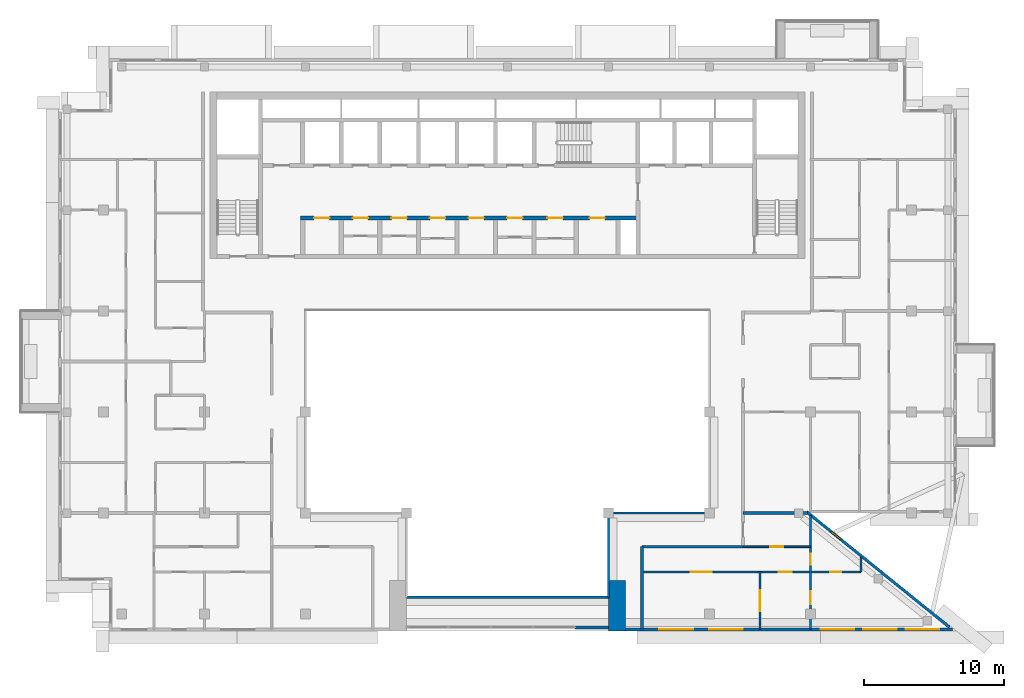
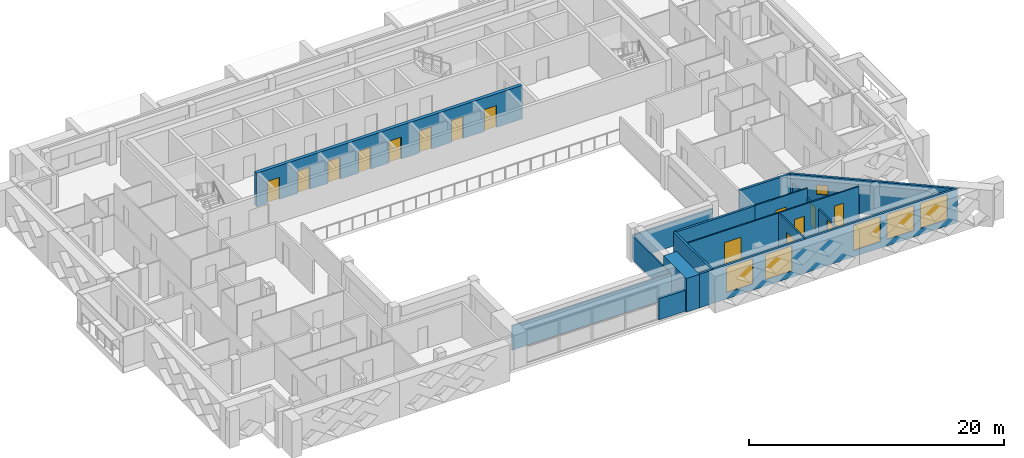
# One storey, part 8 of 18: 16 walls, 15 doors, 6 windows, 21 openings.
"""IFC4 building model written with IfcOpenShell, lengths in metres."""

from ifc_helpers import new_model, si_unit, direction, frame, frame_2d, origin, place, context, subcontext, project, spatial, rectangle, extrude, material, layer, layer_set, type_object, element, fill, save


model = new_model("IFC4")

# Units and contexts
model_context = context("Model", 3, precision=1e-05, world=origin(), true_north=direction((0.0, 1.0)))
body_context = subcontext(model_context, "Body", "Model", "MODEL_VIEW")
ifc_project = project(units=[si_unit("LENGTHUNIT", "METRE"), si_unit("AREAUNIT", "SQUARE_METRE"), si_unit("VOLUMEUNIT", "CUBIC_METRE"), si_unit("PLANEANGLEUNIT", "RADIAN"), si_unit("MASSUNIT", "GRAM", prefix="KILO")], contexts=[model_context])

# Site, building, storey
site_placement = place(None, origin())
site = spatial("IfcSite", under=ifc_project, at=site_placement, CompositionType="ELEMENT")
building_placement = place(site_placement, origin())
building = spatial("IfcBuilding", under=site, at=building_placement, Name="Saffron Iwan Residences", CompositionType="ELEMENT")
storey_placement = place(building_placement, frame((0.0, 0.0, 257.0)))
storey = spatial("IfcBuildingStorey", under=building, at=storey_placement, Name="L69", CompositionType="ELEMENT", Elevation=257.0)

# Walls
ifc_material_1 = material(Name="Fire-rated glazing", Category="glass")
ifc_layer_1 = layer(ifc_material_1, 0.14990234375)
ifc_layer_set_1 = layer_set([ifc_layer_1], Name="Fire-rated glazing")
wall_type_1 = type_object("IfcWallType", Name="Atrium glazed screen 150", PredefinedType="SOLIDWALL", material=ifc_layer_set_1)
wall_1_placement = place(storey_placement, frame((43.199951171875, 42.0, 0.0), z_axis=(0.0, 0.0, 1.0), x_axis=(1.0, 0.0, 0.0)))
element("IfcWall", 1, at=wall_1_placement, inside=storey, type_object=wall_type_1, Name="W-L69-SCREEN-h42-43.2", PredefinedType="SOLIDWALL", context=body_context, shape_type="SweptSolid", body=[
    extrude(rectangle(XDim=14.400146484375, YDim=0.14990234375, at=frame_2d((7.2001953125, 0.0))), origin(), (0.0, 0.0, 1.0), 2.320068359375),
])
wall_2_placement = place(storey_placement, frame((57.60009765625, 48.0, 0.0), z_axis=(0.0, 0.0, 1.0), x_axis=(1.0, 0.0, 0.0)))
element("IfcWall", 2, at=wall_2_placement, inside=storey, type_object=wall_type_1, Name="W-L69-SCREEN-h48-57.6", PredefinedType="SOLIDWALL", context=body_context, shape_type="SweptSolid", body=[
    extrude(rectangle(XDim=7.199951171875, YDim=0.14990234375, at=frame_2d((3.60009765625, 0.0))), origin(), (0.0, 0.0, 1.0), 2.320068359375),
])
wall_3_placement = place(storey_placement, frame((57.60009765625, 42.0, 0.0), z_axis=(0.0, 0.0, 1.0), x_axis=(0.0, 1.0, 0.0)))
element("IfcWall", 3, at=wall_3_placement, inside=storey, type_object=wall_type_1, Name="W-L69-SCREEN-v57.6-42", PredefinedType="SOLIDWALL", context=body_context, shape_type="SweptSolid", body=[
    extrude(rectangle(XDim=6.0, YDim=0.14990234375, at=frame_2d((3.0, 0.0))), origin(), (0.0, 0.0, 1.0), 2.320068359375),
])

# Wall, opening, window
ifc_material_2 = material(Name="Concrete C40/50", Category="concrete")
ifc_layer_2 = layer(ifc_material_2, 0.199951171875)
ifc_layer_set_2 = layer_set([ifc_layer_2], Name="Concrete C40/50")
wall_type_2 = type_object("IfcWallType", Name="EXTERNAL WALL 200", PredefinedType="SOLIDWALL", material=ifc_layer_set_2)
wall_4_placement = place(storey_placement, frame((81.906982421875, 39.86962890625, 0.0), z_axis=(0.0, 0.0, 1.0), x_axis=(-0.777936274417, 0.62834318087, 0.0)))
wall_4 = element("IfcWall", 4, at=wall_4_placement, inside=storey, type_object=wall_type_2, Name="External wall L69 F0.0", PredefinedType="SOLIDWALL", context=body_context, shape_type="SweptSolid", body=[
    extrude(rectangle(XDim=13.0986328125, YDim=0.199951171875, at=frame_2d((6.54931640625, 0.0))), origin(), (0.0, 0.0, 1.0), 3.219970703125),
])
opening_1_placement = place(wall_4_placement, frame((9.9384765625, 0.0, 1.5)))
opening_1 = element("IfcOpeningElement", 5, at=opening_1_placement, cuts=wall_4, Name="Opening W6", PredefinedType="OPENING", context=body_context, shape_type="SweptSolid", body=[
    extrude(rectangle(XDim=0.89990234375, YDim=0.89990234375, at=frame_2d((0.449951171875, 0.449951171875))), frame((0.0, 0.10986328125, 0.0), z_axis=(0.0, -1.0, 0.0), x_axis=(1.0, 0.0, 0.0)), (0.0, 0.0, 1.0), 0.219970703125),
])
ifc_material_3 = material(Name="Clear glass, laminated double glazed", Category="glass")
window_type_1 = type_object("IfcWindowType", Name="WINDOW 900 x 900 BATH", PartitioningType="SINGLE_PANEL", PredefinedType="WINDOW", material=ifc_material_3)
window_1_placement = place(opening_1_placement, origin())
window_1 = element("IfcWindow", 6, at=window_1_placement, inside=storey, type_object=window_type_1, Name="Window L69 F0.0", OverallHeight=0.89990234375, OverallWidth=0.89990234375, PartitioningType="SINGLE_PANEL", PredefinedType="WINDOW", context=body_context, shape_type="SweptSolid", body=[
    extrude(rectangle(XDim=0.89990234375, YDim=0.89990234375, at=frame_2d((0.449951171875, 0.449951171875))), frame((0.0, 0.030029296875, 0.0), z_axis=(0.0, -1.0, 0.0), x_axis=(1.0, 0.0, 0.0)), (0.0, 0.0, 1.0), 0.06005859375),
])
fill(opening_1, window_1)

# Wall, openings, windows
wall_5_placement = place(storey_placement, frame((58.800048828125, 39.699951171875, 0.0), z_axis=(0.0, 0.0, 1.0), x_axis=(1.0, 0.0, 0.0)))
wall_5 = element("IfcWall", 7, at=wall_5_placement, inside=storey, type_object=wall_type_2, Name="External wall L69 F11.1", PredefinedType="SOLIDWALL", context=body_context, shape_type="SweptSolid", body=[
    extrude(rectangle(XDim=23.31689453125, YDim=0.199951171875, at=frame_2d((11.658447265625, 0.0))), origin(), (0.0, 0.0, 1.0), 3.219970703125),
])
opening_2_placement = place(wall_5_placement, frame((2.433349609375, 0.0, 0.60009765625)))
opening_2 = element("IfcOpeningElement", 8, at=opening_2_placement, cuts=wall_5, Name="Opening W1", PredefinedType="OPENING", context=body_context, shape_type="SweptSolid", body=[
    extrude(rectangle(XDim=2.39990234375, YDim=2.39990234375, at=frame_2d((1.199951171875, 1.199951171875))), frame((0.0, 0.10986328125, 0.0), z_axis=(0.0, -1.0, 0.0), x_axis=(1.0, 0.0, 0.0)), (0.0, 0.0, 1.0), 0.219970703125),
])
opening_3_placement = place(wall_5_placement, frame((5.966796875, 0.0, 0.60009765625)))
opening_3 = element("IfcOpeningElement", 9, at=opening_3_placement, cuts=wall_5, Name="Opening W1", PredefinedType="OPENING", context=body_context, shape_type="SweptSolid", body=[
    extrude(rectangle(XDim=2.39990234375, YDim=2.39990234375, at=frame_2d((1.199951171875, 1.199951171875))), frame((0.0, 0.10986328125, 0.0), z_axis=(0.0, -1.0, 0.0), x_axis=(1.0, 0.0, 0.0)), (0.0, 0.0, 1.0), 0.219970703125),
])
opening_4_placement = place(wall_5_placement, frame((13.92919921875, 0.0, 0.60009765625)))
opening_4 = element("IfcOpeningElement", 10, at=opening_4_placement, cuts=wall_5, Name="Opening W1", PredefinedType="OPENING", context=body_context, shape_type="SweptSolid", body=[
    extrude(rectangle(XDim=2.39990234375, YDim=2.39990234375, at=frame_2d((1.199951171875, 1.199951171875))), frame((0.0, 0.10986328125, 0.0), z_axis=(0.0, -1.0, 0.0), x_axis=(1.0, 0.0, 0.0)), (0.0, 0.0, 1.0), 0.219970703125),
])
opening_5_placement = place(wall_5_placement, frame((16.95849609375, 0.0, 0.60009765625)))
opening_5 = element("IfcOpeningElement", 11, at=opening_5_placement, cuts=wall_5, Name="Opening W1", PredefinedType="OPENING", context=body_context, shape_type="SweptSolid", body=[
    extrude(rectangle(XDim=2.39990234375, YDim=2.39990234375, at=frame_2d((1.199951171875, 1.199951171875))), frame((0.0, 0.10986328125, 0.0), z_axis=(0.0, -1.0, 0.0), x_axis=(1.0, 0.0, 0.0)), (0.0, 0.0, 1.0), 0.219970703125),
])
opening_6_placement = place(wall_5_placement, frame((19.98779296875, 0.0, 0.60009765625)))
opening_6 = element("IfcOpeningElement", 12, at=opening_6_placement, cuts=wall_5, Name="Opening W1", PredefinedType="OPENING", context=body_context, shape_type="SweptSolid", body=[
    extrude(rectangle(XDim=2.39990234375, YDim=2.39990234375, at=frame_2d((1.199951171875, 1.199951171875))), frame((0.0, 0.10986328125, 0.0), z_axis=(0.0, -1.0, 0.0), x_axis=(1.0, 0.0, 0.0)), (0.0, 0.0, 1.0), 0.219970703125),
])
window_type_2 = type_object("IfcWindowType", Name="WINDOW 2400 x 2400", PartitioningType="DOUBLE_PANEL_VERTICAL", PredefinedType="WINDOW", material=ifc_material_3)
window_2_placement = place(opening_2_placement, origin())
window_2 = element("IfcWindow", 13, at=window_2_placement, inside=storey, type_object=window_type_2, Name="Window L69 F11.0", OverallHeight=2.39990234375, OverallWidth=2.39990234375, PartitioningType="DOUBLE_PANEL_VERTICAL", PredefinedType="WINDOW", context=body_context, shape_type="SweptSolid", body=[
    extrude(rectangle(XDim=2.39990234375, YDim=2.39990234375, at=frame_2d((1.199951171875, 1.199951171875))), frame((0.0, 0.030029296875, 0.0), z_axis=(0.0, -1.0, 0.0), x_axis=(1.0, 0.0, 0.0)), (0.0, 0.0, 1.0), 0.06005859375),
])
fill(opening_2, window_2)
window_3_placement = place(opening_3_placement, origin())
window_3 = element("IfcWindow", 14, at=window_3_placement, inside=storey, type_object=window_type_2, Name="Window L69 F11.1", OverallHeight=2.39990234375, OverallWidth=2.39990234375, PartitioningType="DOUBLE_PANEL_VERTICAL", PredefinedType="WINDOW", context=body_context, shape_type="SweptSolid", body=[
    extrude(rectangle(XDim=2.39990234375, YDim=2.39990234375, at=frame_2d((1.199951171875, 1.199951171875))), frame((0.0, 0.030029296875, 0.0), z_axis=(0.0, -1.0, 0.0), x_axis=(1.0, 0.0, 0.0)), (0.0, 0.0, 1.0), 0.06005859375),
])
fill(opening_3, window_3)
window_4_placement = place(opening_4_placement, origin())
window_4 = element("IfcWindow", 15, at=window_4_placement, inside=storey, type_object=window_type_2, Name="Window L69 F11.2", OverallHeight=2.39990234375, OverallWidth=2.39990234375, PartitioningType="DOUBLE_PANEL_VERTICAL", PredefinedType="WINDOW", context=body_context, shape_type="SweptSolid", body=[
    extrude(rectangle(XDim=2.39990234375, YDim=2.39990234375, at=frame_2d((1.199951171875, 1.199951171875))), frame((0.0, 0.030029296875, 0.0), z_axis=(0.0, -1.0, 0.0), x_axis=(1.0, 0.0, 0.0)), (0.0, 0.0, 1.0), 0.06005859375),
])
fill(opening_4, window_4)
window_5_placement = place(opening_5_placement, origin())
window_5 = element("IfcWindow", 16, at=window_5_placement, inside=storey, type_object=window_type_2, Name="Window L69 F11.3", OverallHeight=2.39990234375, OverallWidth=2.39990234375, PartitioningType="DOUBLE_PANEL_VERTICAL", PredefinedType="WINDOW", context=body_context, shape_type="SweptSolid", body=[
    extrude(rectangle(XDim=2.39990234375, YDim=2.39990234375, at=frame_2d((1.199951171875, 1.199951171875))), frame((0.0, 0.030029296875, 0.0), z_axis=(0.0, -1.0, 0.0), x_axis=(1.0, 0.0, 0.0)), (0.0, 0.0, 1.0), 0.06005859375),
])
fill(opening_5, window_5)
window_6_placement = place(opening_6_placement, origin())
window_6 = element("IfcWindow", 17, at=window_6_placement, inside=storey, type_object=window_type_2, Name="Window L69 F11.4", OverallHeight=2.39990234375, OverallWidth=2.39990234375, PartitioningType="DOUBLE_PANEL_VERTICAL", PredefinedType="WINDOW", context=body_context, shape_type="SweptSolid", body=[
    extrude(rectangle(XDim=2.39990234375, YDim=2.39990234375, at=frame_2d((1.199951171875, 1.199951171875))), frame((0.0, 0.030029296875, 0.0), z_axis=(0.0, -1.0, 0.0), x_axis=(1.0, 0.0, 0.0)), (0.0, 0.0, 1.0), 0.06005859375),
])
fill(opening_6, window_6)

# Walls
wall_6_placement = place(storey_placement, frame((55.199951171875, 39.85009765625, 0.0), z_axis=(0.0, 0.0, 1.0), x_axis=(1.0, 0.0, 0.0)))
element("IfcWall", 18, at=wall_6_placement, inside=storey, type_object=wall_type_2, Name="External wall infill CWB-L69-0", PredefinedType="SOLIDWALL", context=body_context, shape_type="SweptSolid", body=[
    extrude(rectangle(XDim=2.400146484375, YDim=0.199951171875, at=frame_2d((1.2001953125, 0.0))), origin(), (0.0, 0.0, 1.0), 2.02001953125),
])
ifc_material_4 = material(Name="Fire-rated gypsum board wall")
ifc_layer_3 = layer(ifc_material_4, 0.199951171875)
ifc_layer_set_3 = layer_set([ifc_layer_3], Name="Fire-rated gypsum board wall")
wall_type_3 = type_object("IfcWallType", Name="Flat demising wall 200", PredefinedType="SOLIDWALL", material=ifc_layer_set_3)
wall_7_placement = place(storey_placement, frame((67.199951171875, 48.0, 0.0), z_axis=(0.0, 0.0, 1.0), x_axis=(1.0, 0.0, 0.0)))
element("IfcWall", 19, at=wall_7_placement, inside=storey, type_object=wall_type_3, Name="W-L69-DEMISE-h48-67.2", PredefinedType="SOLIDWALL", context=body_context, shape_type="SweptSolid", body=[
    extrude(rectangle(XDim=4.60107421875, YDim=0.199951171875, at=frame_2d((2.300537109375, 0.0))), origin(), (0.0, 0.0, 1.0), 3.219970703125),
])

# Wall, openings, doors
ifc_material_5 = material(Name="Gypsum board partition")
ifc_layer_4 = layer(ifc_material_5, 0.1201171875)
ifc_layer_set_4 = layer_set([ifc_layer_4], Name="Gypsum board partition")
wall_type_4 = type_object("IfcWallType", Name="Flat partition 120", PredefinedType="PARTITIONING", material=ifc_layer_set_4)
wall_8_placement = place(storey_placement, frame((60.0, 43.800048828125, 0.0), z_axis=(0.0, 0.0, 1.0), x_axis=(1.0, 0.0, 0.0)))
wall_8 = element("IfcWall", 20, at=wall_8_placement, inside=storey, type_object=wall_type_4, Name="W-L69-PART-h43.8-60", PredefinedType="PARTITIONING", context=body_context, shape_type="SweptSolid", body=[
    extrude(rectangle(XDim=15.60009765625, YDim=0.1201171875, at=frame_2d((7.800048828125, 0.0))), origin(), (0.0, 0.0, 1.0), 3.219970703125),
])
opening_7_placement = place(wall_8_placement, frame((9.75, 0.0, 0.0)))
opening_7 = element("IfcOpeningElement", 21, at=opening_7_placement, cuts=wall_8, Name="Opening FD2", PredefinedType="OPENING", context=body_context, shape_type="SweptSolid", body=[
    extrude(rectangle(XDim=0.89990234375, YDim=2.10009765625, at=frame_2d((0.449951171875, 1.050048828125))), frame((0.0, 0.070068359375, 0.0), z_axis=(0.0, -1.0, 0.0), x_axis=(1.0, 0.0, 0.0)), (0.0, 0.0, 1.0), 0.14013671875),
])
opening_8_placement = place(wall_8_placement, frame((3.449951171875, 0.0, 0.0)))
opening_8 = element("IfcOpeningElement", 22, at=opening_8_placement, cuts=wall_8, Name="Opening FD4", PredefinedType="OPENING", context=body_context, shape_type="SweptSolid", body=[
    extrude(rectangle(XDim=1.5, YDim=2.10009765625, at=frame_2d((0.75, 1.050048828125))), frame((0.0, 0.070068359375, 0.0), z_axis=(0.0, -1.0, 0.0), x_axis=(1.0, 0.0, 0.0)), (0.0, 0.0, 1.0), 0.14013671875),
])
opening_9_placement = place(wall_8_placement, frame((13.39990234375, 0.0, 0.0)))
opening_9 = element("IfcOpeningElement", 23, at=opening_9_placement, cuts=wall_8, Name="Opening FD3", PredefinedType="OPENING", context=body_context, shape_type="SweptSolid", body=[
    extrude(rectangle(XDim=0.800048828125, YDim=2.10009765625, at=frame_2d((0.39990234375, 1.050048828125))), frame((0.0, 0.070068359375, 0.0), z_axis=(0.0, -1.0, 0.0), x_axis=(1.0, 0.0, 0.0)), (0.0, 0.0, 1.0), 0.14013671875),
])
ifc_material_6 = material(Name="Timber door", Category="wood")
door_type_1 = type_object("IfcDoorType", Name="Bathroom door 800", OperationType="NOTDEFINED", PredefinedType="DOOR", material=ifc_material_6)
door_1_placement = place(opening_9_placement, origin())
door_1 = element("IfcDoor", 24, at=door_1_placement, inside=storey, type_object=door_type_1, Name="Door L69-044", OperationType="SINGLE_SWING_LEFT", OverallHeight=2.10009765625, OverallWidth=0.800048828125, PredefinedType="DOOR", context=body_context, shape_type="SweptSolid", body=[
    extrude(rectangle(XDim=0.800048828125, YDim=2.10009765625, at=frame_2d((0.39990234375, 1.050048828125))), frame((0.0, 0.02490234375, 0.0), z_axis=(0.0, -1.0, 0.0), x_axis=(1.0, 0.0, 0.0)), (0.0, 0.0, 1.0), 0.050048828125),
])
fill(opening_9, door_1)
door_type_2 = type_object("IfcDoorType", Name="Double door 1500", OperationType="NOTDEFINED", PredefinedType="DOOR", material=ifc_material_6)
door_2_placement = place(opening_8_placement, origin())
door_2 = element("IfcDoor", 25, at=door_2_placement, inside=storey, type_object=door_type_2, Name="Door L69-041", OperationType="SINGLE_SWING_LEFT", OverallHeight=2.10009765625, OverallWidth=1.5, PredefinedType="DOOR", context=body_context, shape_type="SweptSolid", body=[
    extrude(rectangle(XDim=1.5, YDim=2.10009765625, at=frame_2d((0.75, 1.050048828125))), frame((0.0, 0.02490234375, 0.0), z_axis=(0.0, -1.0, 0.0), x_axis=(1.0, 0.0, 0.0)), (0.0, 0.0, 1.0), 0.050048828125),
])
fill(opening_8, door_2)
door_type_3 = type_object("IfcDoorType", Name="Flat door 900", OperationType="NOTDEFINED", PredefinedType="DOOR", material=ifc_material_6)
door_3_placement = place(opening_7_placement, origin())
door_3 = element("IfcDoor", 26, at=door_3_placement, inside=storey, type_object=door_type_3, Name="Door L69-040", OperationType="SINGLE_SWING_RIGHT", OverallHeight=2.10009765625, OverallWidth=0.89990234375, PredefinedType="DOOR", context=body_context, shape_type="SweptSolid", body=[
    extrude(rectangle(XDim=0.89990234375, YDim=2.10009765625, at=frame_2d((0.449951171875, 1.050048828125))), frame((0.0, 0.02490234375, 0.0), z_axis=(0.0, -1.0, 0.0), x_axis=(1.0, 0.0, 0.0)), (0.0, 0.0, 1.0), 0.050048828125),
])
fill(opening_7, door_3)

# Wall, opening, door
wall_9_placement = place(storey_placement, frame((67.199951171875, 45.60009765625, 0.0), z_axis=(0.0, 0.0, 1.0), x_axis=(1.0, 0.0, 0.0)))
wall_9 = element("IfcWall", 27, at=wall_9_placement, inside=storey, type_object=wall_type_4, Name="W-L69-PART-h45.6-67.2", PredefinedType="PARTITIONING", context=body_context, shape_type="SweptSolid", body=[
    extrude(rectangle(XDim=4.800048828125, YDim=0.1201171875, at=frame_2d((2.39990234375, 0.0))), origin(), (0.0, 0.0, 1.0), 3.219970703125),
])
opening_10_placement = place(wall_9_placement, frame((1.949951171875, 0.0, 0.0)))
opening_10 = element("IfcOpeningElement", 28, at=opening_10_placement, cuts=wall_9, Name="Opening FD2", PredefinedType="OPENING", context=body_context, shape_type="SweptSolid", body=[
    extrude(rectangle(XDim=0.89990234375, YDim=2.10009765625, at=frame_2d((0.449951171875, 1.050048828125))), frame((0.0, 0.070068359375, 0.0), z_axis=(0.0, -1.0, 0.0), x_axis=(1.0, 0.0, 0.0)), (0.0, 0.0, 1.0), 0.14013671875),
])
door_4_placement = place(opening_10_placement, origin())
door_4 = element("IfcDoor", 29, at=door_4_placement, inside=storey, type_object=door_type_3, Name="Door L69-038", OperationType="SINGLE_SWING_LEFT", OverallHeight=2.10009765625, OverallWidth=0.89990234375, PredefinedType="DOOR", context=body_context, shape_type="SweptSolid", body=[
    extrude(rectangle(XDim=0.89990234375, YDim=2.10009765625, at=frame_2d((0.449951171875, 1.050048828125))), frame((0.0, 0.02490234375, 0.0), z_axis=(0.0, -1.0, 0.0), x_axis=(1.0, 0.0, 0.0)), (0.0, 0.0, 1.0), 0.050048828125),
])
fill(opening_10, door_4)

wall_10_placement = place(storey_placement, frame((68.39990234375, 39.72509765625, 0.0), z_axis=(0.0, 0.0, 1.0), x_axis=(0.0, 1.0, 0.0)))
wall_10 = element("IfcWall", 30, at=wall_10_placement, inside=storey, type_object=wall_type_4, Name="W-L69-PART-v68.4-39.725", PredefinedType="PARTITIONING", context=body_context, shape_type="SweptSolid", body=[
    extrude(rectangle(XDim=4.074951171875, YDim=0.1201171875, at=frame_2d((2.03759765625, 0.0))), origin(), (0.0, 0.0, 1.0), 3.219970703125),
])
opening_11_placement = place(wall_10_placement, frame((1.28759765625, 0.0, 0.0)))
opening_11 = element("IfcOpeningElement", 31, at=opening_11_placement, cuts=wall_10, Name="Opening FD4", PredefinedType="OPENING", context=body_context, shape_type="SweptSolid", body=[
    extrude(rectangle(XDim=1.5, YDim=2.10009765625, at=frame_2d((0.75, 1.050048828125))), frame((0.0, 0.070068359375, 0.0), z_axis=(0.0, -1.0, 0.0), x_axis=(1.0, 0.0, 0.0)), (0.0, 0.0, 1.0), 0.14013671875),
])
door_5_placement = place(opening_11_placement, origin())
door_5 = element("IfcDoor", 32, at=door_5_placement, inside=storey, type_object=door_type_2, Name="Door L69-037", OperationType="SINGLE_SWING_RIGHT", OverallHeight=2.10009765625, OverallWidth=1.5, PredefinedType="DOOR", context=body_context, shape_type="SweptSolid", body=[
    extrude(rectangle(XDim=1.5, YDim=2.10009765625, at=frame_2d((0.75, 1.050048828125))), frame((0.0, 0.02490234375, 0.0), z_axis=(0.0, -1.0, 0.0), x_axis=(1.0, 0.0, 0.0)), (0.0, 0.0, 1.0), 0.050048828125),
])
fill(opening_11, door_5)

# Wall, openings, doors
wall_11_placement = place(storey_placement, frame((72.0, 39.72509765625, 0.0), z_axis=(0.0, 0.0, 1.0), x_axis=(0.0, 1.0, 0.0)))
wall_11 = element("IfcWall", 33, at=wall_11_placement, inside=storey, type_object=wall_type_4, Name="W-L69-PART-v72-39.725", PredefinedType="PARTITIONING", context=body_context, shape_type="SweptSolid", body=[
    extrude(rectangle(XDim=8.114013671875, YDim=0.1201171875, at=frame_2d((4.05712890625, 0.0))), origin(), (0.0, 0.0, 1.0), 2.320068359375),
])
opening_12_placement = place(wall_11_placement, frame((1.78759765625, 0.0, 0.0)))
opening_12 = element("IfcOpeningElement", 34, at=opening_12_placement, cuts=wall_11, Name="Opening FD2", PredefinedType="OPENING", context=body_context, shape_type="SweptSolid", body=[
    extrude(rectangle(XDim=0.89990234375, YDim=2.10009765625, at=frame_2d((0.449951171875, 1.050048828125))), frame((0.0, 0.070068359375, 0.0), z_axis=(0.0, -1.0, 0.0), x_axis=(1.0, 0.0, 0.0)), (0.0, 0.0, 1.0), 0.14013671875),
])
opening_13_placement = place(wall_11_placement, frame((4.574951171875, 0.0, 0.0)))
opening_13 = element("IfcOpeningElement", 35, at=opening_13_placement, cuts=wall_11, Name="Opening FD3", PredefinedType="OPENING", context=body_context, shape_type="SweptSolid", body=[
    extrude(rectangle(XDim=0.800048828125, YDim=2.10009765625, at=frame_2d((0.39990234375, 1.050048828125))), frame((0.0, 0.070068359375, 0.0), z_axis=(0.0, -1.0, 0.0), x_axis=(1.0, 0.0, 0.0)), (0.0, 0.0, 1.0), 0.14013671875),
])
door_6_placement = place(opening_13_placement, origin())
door_6 = element("IfcDoor", 36, at=door_6_placement, inside=storey, type_object=door_type_1, Name="Door L69-043", OperationType="SINGLE_SWING_RIGHT", OverallHeight=2.10009765625, OverallWidth=0.800048828125, PredefinedType="DOOR", context=body_context, shape_type="SweptSolid", body=[
    extrude(rectangle(XDim=0.800048828125, YDim=2.10009765625, at=frame_2d((0.39990234375, 1.050048828125))), frame((0.0, 0.02490234375, 0.0), z_axis=(0.0, -1.0, 0.0), x_axis=(1.0, 0.0, 0.0)), (0.0, 0.0, 1.0), 0.050048828125),
])
fill(opening_13, door_6)
door_7_placement = place(opening_12_placement, origin())
door_7 = element("IfcDoor", 37, at=door_7_placement, inside=storey, type_object=door_type_3, Name="Door L69-042", OperationType="SINGLE_SWING_RIGHT", OverallHeight=2.10009765625, OverallWidth=0.89990234375, PredefinedType="DOOR", context=body_context, shape_type="SweptSolid", body=[
    extrude(rectangle(XDim=0.89990234375, YDim=2.10009765625, at=frame_2d((0.449951171875, 1.050048828125))), frame((0.0, 0.02490234375, 0.0), z_axis=(0.0, -1.0, 0.0), x_axis=(1.0, 0.0, 0.0)), (0.0, 0.0, 1.0), 0.050048828125),
])
fill(opening_12, door_7)

# Walls
wall_12_placement = place(storey_placement, frame((75.60009765625, 43.800048828125, 0.0), z_axis=(0.0, 0.0, 1.0), x_axis=(0.0, 1.0, 0.0)))
element("IfcWall", 38, at=wall_12_placement, inside=storey, type_object=wall_type_4, Name="W-L69-PART-v75.6-43.8", PredefinedType="PARTITIONING", context=body_context, shape_type="SweptSolid", body=[
    extrude(rectangle(XDim=1.03515625, YDim=0.1201171875, at=frame_2d((0.517578125, 0.0))), origin(), (0.0, 0.0, 1.0), 2.320068359375),
])
ifc_layer_5 = layer(ifc_material_4, 0.199951171875)
ifc_layer_set_5 = layer_set([ifc_layer_5], Name="Fire-rated gypsum board wall")
wall_type_5 = type_object("IfcWallType", Name="Gallery wall 200", PredefinedType="SOLIDWALL", material=ifc_layer_set_5)
wall_13_placement = place(storey_placement, frame((60.0, 45.60009765625, 0.0), z_axis=(0.0, 0.0, 1.0), x_axis=(1.0, 0.0, 0.0)))
element("IfcWall", 39, at=wall_13_placement, inside=storey, type_object=wall_type_5, Name="W-L69-CORR-h45.6-60", PredefinedType="SOLIDWALL", context=body_context, shape_type="SweptSolid", body=[
    extrude(rectangle(XDim=7.199951171875, YDim=0.199951171875, at=frame_2d((3.60009765625, 0.0))), origin(), (0.0, 0.0, 1.0), 3.219970703125),
])
wall_14_placement = place(storey_placement, frame((60.0, 39.72509765625, 0.0), z_axis=(0.0, 0.0, 1.0), x_axis=(0.0, 1.0, 0.0)))
element("IfcWall", 40, at=wall_14_placement, inside=storey, type_object=wall_type_5, Name="W-L69-CORR-v60-39.725", PredefinedType="SOLIDWALL", context=body_context, shape_type="SweptSolid", body=[
    extrude(rectangle(XDim=5.875, YDim=0.199951171875, at=frame_2d((2.9375, 0.0))), origin(), (0.0, 0.0, 1.0), 3.219970703125),
])

# Wall, openings, doors
ifc_layer_6 = layer(ifc_material_2, 0.300048828125)
ifc_layer_set_6 = layer_set([ifc_layer_6], Name="Concrete C40/50")
wall_type_6 = type_object("IfcWallType", Name="WALL CORE 300 C40/50 3220 HIGH", PredefinedType="SHEAR", material=ifc_layer_set_6)
wall_15_placement = place(storey_placement, frame((35.64990234375, 69.02490234375, 0.0), z_axis=(0.0, 0.0, 1.0), x_axis=(1.0, 0.0, 0.0)))
wall_15 = element("IfcWall", 41, at=wall_15_placement, inside=storey, type_object=wall_type_6, Name="Core wall", PredefinedType="SHEAR", context=body_context, shape_type="SweptSolid", body=[
    extrude(rectangle(XDim=24.050048828125, YDim=0.300048828125, at=frame_2d((12.02490234375, 0.0))), origin(), (0.0, 0.0, 1.0), 3.219970703125),
])
opening_14_placement = place(wall_15_placement, frame((0.97509765625, 0.0, 0.0)))
opening_14 = element("IfcOpeningElement", 42, at=opening_14_placement, cuts=wall_15, Name="Opening SR", PredefinedType="OPENING", context=body_context, shape_type="SweptSolid", body=[
    extrude(rectangle(XDim=1.10009765625, YDim=2.10009765625, at=frame_2d((0.550048828125, 1.050048828125))), frame((0.0, 0.16015625, 0.0), z_axis=(0.0, -1.0, 0.0), x_axis=(1.0, 0.0, 0.0)), (0.0, 0.0, 1.0), 0.320068359375),
])
opening_15_placement = place(wall_15_placement, frame((3.72509765625, 0.0, 0.0)))
opening_15 = element("IfcOpeningElement", 43, at=opening_15_placement, cuts=wall_15, Name="Opening SR", PredefinedType="OPENING", context=body_context, shape_type="SweptSolid", body=[
    extrude(rectangle(XDim=1.10009765625, YDim=2.10009765625, at=frame_2d((0.550048828125, 1.050048828125))), frame((0.0, 0.16015625, 0.0), z_axis=(0.0, -1.0, 0.0), x_axis=(1.0, 0.0, 0.0)), (0.0, 0.0, 1.0), 0.320068359375),
])
opening_16_placement = place(wall_15_placement, frame((6.47509765625, 0.0, 0.0)))
opening_16 = element("IfcOpeningElement", 44, at=opening_16_placement, cuts=wall_15, Name="Opening SR", PredefinedType="OPENING", context=body_context, shape_type="SweptSolid", body=[
    extrude(rectangle(XDim=1.10009765625, YDim=2.10009765625, at=frame_2d((0.550048828125, 1.050048828125))), frame((0.0, 0.16015625, 0.0), z_axis=(0.0, -1.0, 0.0), x_axis=(1.0, 0.0, 0.0)), (0.0, 0.0, 1.0), 0.320068359375),
])
opening_17_placement = place(wall_15_placement, frame((9.22509765625, 0.0, 0.0)))
opening_17 = element("IfcOpeningElement", 45, at=opening_17_placement, cuts=wall_15, Name="Opening SR", PredefinedType="OPENING", context=body_context, shape_type="SweptSolid", body=[
    extrude(rectangle(XDim=1.10009765625, YDim=2.10009765625, at=frame_2d((0.550048828125, 1.050048828125))), frame((0.0, 0.16015625, 0.0), z_axis=(0.0, -1.0, 0.0), x_axis=(1.0, 0.0, 0.0)), (0.0, 0.0, 1.0), 0.320068359375),
])
opening_18_placement = place(wall_15_placement, frame((11.97509765625, 0.0, 0.0)))
opening_18 = element("IfcOpeningElement", 46, at=opening_18_placement, cuts=wall_15, Name="Opening SR", PredefinedType="OPENING", context=body_context, shape_type="SweptSolid", body=[
    extrude(rectangle(XDim=1.10009765625, YDim=2.10009765625, at=frame_2d((0.550048828125, 1.050048828125))), frame((0.0, 0.16015625, 0.0), z_axis=(0.0, -1.0, 0.0), x_axis=(1.0, 0.0, 0.0)), (0.0, 0.0, 1.0), 0.320068359375),
])
opening_19_placement = place(wall_15_placement, frame((14.72509765625, 0.0, 0.0)))
opening_19 = element("IfcOpeningElement", 47, at=opening_19_placement, cuts=wall_15, Name="Opening SR", PredefinedType="OPENING", context=body_context, shape_type="SweptSolid", body=[
    extrude(rectangle(XDim=1.10009765625, YDim=2.10009765625, at=frame_2d((0.550048828125, 1.050048828125))), frame((0.0, 0.16015625, 0.0), z_axis=(0.0, -1.0, 0.0), x_axis=(1.0, 0.0, 0.0)), (0.0, 0.0, 1.0), 0.320068359375),
])
opening_20_placement = place(wall_15_placement, frame((17.60009765625, 0.0, 0.0)))
opening_20 = element("IfcOpeningElement", 48, at=opening_20_placement, cuts=wall_15, Name="Opening SR", PredefinedType="OPENING", context=body_context, shape_type="SweptSolid", body=[
    extrude(rectangle(XDim=1.10009765625, YDim=2.10009765625, at=frame_2d((0.550048828125, 1.050048828125))), frame((0.0, 0.16015625, 0.0), z_axis=(0.0, -1.0, 0.0), x_axis=(1.0, 0.0, 0.0)), (0.0, 0.0, 1.0), 0.320068359375),
])
opening_21_placement = place(wall_15_placement, frame((20.60009765625, 0.0, 0.0)))
opening_21 = element("IfcOpeningElement", 49, at=opening_21_placement, cuts=wall_15, Name="Opening SR", PredefinedType="OPENING", context=body_context, shape_type="SweptSolid", body=[
    extrude(rectangle(XDim=1.10009765625, YDim=2.10009765625, at=frame_2d((0.550048828125, 1.050048828125))), frame((0.0, 0.16015625, 0.0), z_axis=(0.0, -1.0, 0.0), x_axis=(1.0, 0.0, 0.0)), (0.0, 0.0, 1.0), 0.320068359375),
])
ifc_material_7 = material(Name="Steel fire door", Category="steel")
door_type_4 = type_object("IfcDoorType", Name="Service door 1100", OperationType="NOTDEFINED", PredefinedType="DOOR", material=ifc_material_7)
door_8_placement = place(opening_14_placement, origin())
door_8 = element("IfcDoor", 50, at=door_8_placement, inside=storey, type_object=door_type_4, Name="Door Cleaner's store", OperationType="SINGLE_SWING_RIGHT", OverallHeight=2.10009765625, OverallWidth=1.10009765625, PredefinedType="DOOR", context=body_context, shape_type="SweptSolid", body=[
    extrude(rectangle(XDim=1.10009765625, YDim=2.10009765625, at=frame_2d((0.550048828125, 1.050048828125))), frame((0.0, 0.02490234375, 0.0), z_axis=(0.0, -1.0, 0.0), x_axis=(1.0, 0.0, 0.0)), (0.0, 0.0, 1.0), 0.050048828125),
])
fill(opening_14, door_8)
door_9_placement = place(opening_15_placement, origin())
door_9 = element("IfcDoor", 51, at=door_9_placement, inside=storey, type_object=door_type_4, Name="Door Trolley store", OperationType="SINGLE_SWING_LEFT", OverallHeight=2.10009765625, OverallWidth=1.10009765625, PredefinedType="DOOR", context=body_context, shape_type="SweptSolid", body=[
    extrude(rectangle(XDim=1.10009765625, YDim=2.10009765625, at=frame_2d((0.550048828125, 1.050048828125))), frame((0.0, 0.02490234375, 0.0), z_axis=(0.0, -1.0, 0.0), x_axis=(1.0, 0.0, 0.0)), (0.0, 0.0, 1.0), 0.050048828125),
])
fill(opening_15, door_9)
door_10_placement = place(opening_16_placement, origin())
door_10 = element("IfcDoor", 52, at=door_10_placement, inside=storey, type_object=door_type_4, Name="Door Communications room", OperationType="SINGLE_SWING_RIGHT", OverallHeight=2.10009765625, OverallWidth=1.10009765625, PredefinedType="DOOR", context=body_context, shape_type="SweptSolid", body=[
    extrude(rectangle(XDim=1.10009765625, YDim=2.10009765625, at=frame_2d((0.550048828125, 1.050048828125))), frame((0.0, 0.02490234375, 0.0), z_axis=(0.0, -1.0, 0.0), x_axis=(1.0, 0.0, 0.0)), (0.0, 0.0, 1.0), 0.050048828125),
])
fill(opening_16, door_10)
door_11_placement = place(opening_17_placement, origin())
door_11 = element("IfcDoor", 53, at=door_11_placement, inside=storey, type_object=door_type_4, Name="Door Switch room", OperationType="SINGLE_SWING_LEFT", OverallHeight=2.10009765625, OverallWidth=1.10009765625, PredefinedType="DOOR", context=body_context, shape_type="SweptSolid", body=[
    extrude(rectangle(XDim=1.10009765625, YDim=2.10009765625, at=frame_2d((0.550048828125, 1.050048828125))), frame((0.0, 0.02490234375, 0.0), z_axis=(0.0, -1.0, 0.0), x_axis=(1.0, 0.0, 0.0)), (0.0, 0.0, 1.0), 0.050048828125),
])
fill(opening_17, door_11)
door_12_placement = place(opening_18_placement, origin())
door_12 = element("IfcDoor", 54, at=door_12_placement, inside=storey, type_object=door_type_4, Name="Door Furniture store", OperationType="SINGLE_SWING_RIGHT", OverallHeight=2.10009765625, OverallWidth=1.10009765625, PredefinedType="DOOR", context=body_context, shape_type="SweptSolid", body=[
    extrude(rectangle(XDim=1.10009765625, YDim=2.10009765625, at=frame_2d((0.550048828125, 1.050048828125))), frame((0.0, 0.02490234375, 0.0), z_axis=(0.0, -1.0, 0.0), x_axis=(1.0, 0.0, 0.0)), (0.0, 0.0, 1.0), 0.050048828125),
])
fill(opening_18, door_12)
door_13_placement = place(opening_19_placement, origin())
door_13 = element("IfcDoor", 55, at=door_13_placement, inside=storey, type_object=door_type_4, Name="Door Housekeeping store", OperationType="SINGLE_SWING_LEFT", OverallHeight=2.10009765625, OverallWidth=1.10009765625, PredefinedType="DOOR", context=body_context, shape_type="SweptSolid", body=[
    extrude(rectangle(XDim=1.10009765625, YDim=2.10009765625, at=frame_2d((0.550048828125, 1.050048828125))), frame((0.0, 0.02490234375, 0.0), z_axis=(0.0, -1.0, 0.0), x_axis=(1.0, 0.0, 0.0)), (0.0, 0.0, 1.0), 0.050048828125),
])
fill(opening_19, door_13)
door_14_placement = place(opening_20_placement, origin())
door_14 = element("IfcDoor", 56, at=door_14_placement, inside=storey, type_object=door_type_4, Name="Door Pantry", OperationType="SINGLE_SWING_RIGHT", OverallHeight=2.10009765625, OverallWidth=1.10009765625, PredefinedType="DOOR", context=body_context, shape_type="SweptSolid", body=[
    extrude(rectangle(XDim=1.10009765625, YDim=2.10009765625, at=frame_2d((0.550048828125, 1.050048828125))), frame((0.0, 0.02490234375, 0.0), z_axis=(0.0, -1.0, 0.0), x_axis=(1.0, 0.0, 0.0)), (0.0, 0.0, 1.0), 0.050048828125),
])
fill(opening_20, door_14)
door_15_placement = place(opening_21_placement, origin())
door_15 = element("IfcDoor", 57, at=door_15_placement, inside=storey, type_object=door_type_4, Name="Door Electrical room", OperationType="SINGLE_SWING_RIGHT", OverallHeight=2.10009765625, OverallWidth=1.10009765625, PredefinedType="DOOR", context=body_context, shape_type="SweptSolid", body=[
    extrude(rectangle(XDim=1.10009765625, YDim=2.10009765625, at=frame_2d((0.550048828125, 1.050048828125))), frame((0.0, 0.02490234375, 0.0), z_axis=(0.0, -1.0, 0.0), x_axis=(1.0, 0.0, 0.0)), (0.0, 0.0, 1.0), 0.050048828125),
])
fill(opening_21, door_15)

# Wall
ifc_layer_7 = layer(ifc_material_2, 1.199951171875)
ifc_layer_set_7 = layer_set([ifc_layer_7], Name="Concrete C40/50")
wall_type_7 = type_object("IfcWallType", Name="WALL IWAN PIER 1200 C40/50 3220 HIGH", PredefinedType="SHEAR", material=ifc_layer_set_7)
wall_16_placement = place(storey_placement, frame((58.199951171875, 39.60009765625, 0.0), z_axis=(0.0, 0.0, 1.0), x_axis=(0.0, 1.0, 0.0)))
element("IfcWall", 58, at=wall_16_placement, inside=storey, type_object=wall_type_7, Name="IWAN PIER", PredefinedType="SHEAR", context=body_context, shape_type="SweptSolid", body=[
    extrude(rectangle(XDim=3.599853515625, YDim=1.199951171875, at=frame_2d((1.7998046875, 0.0))), origin(), (0.0, 0.0, 1.0), 3.219970703125),
])

save(model, "model.ifc")
